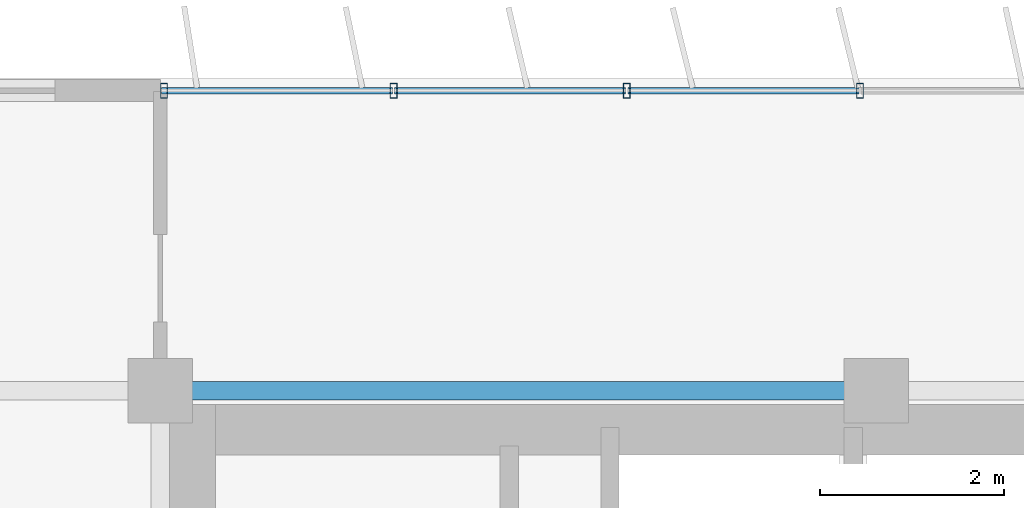
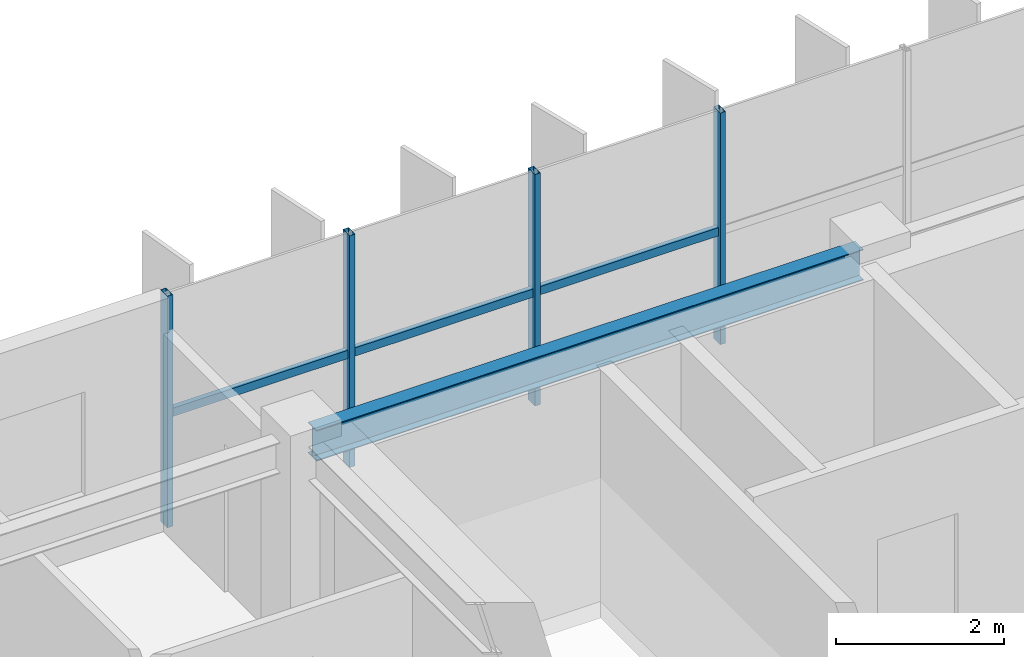
# One storey, part 16 of 34: 7 members, 1 beam, 1 element without a shape of its own.
"""IFC4 building model written with IfcOpenShell, lengths in metres."""

import ifcopenshell
import ifcopenshell.guid

model = None  # the IFC model being written
_history = None  # IfcOwnerHistory: only IFC2X3 demands one
_inside = {}  # id of a spatial element -> (the spatial element, [elements in it])
_under = {}  # id of a project, library or spatial element -> (it, [spatial elements below it])
_declared = {}  # id of a project -> (the project, [libraries it declares])
_typed = {}  # id of a type object -> (the type object, [elements of that type])
_made_of = {}  # id of a material, layer set ... -> (it, [elements and type objects made of it])


def new_model(schema):
    """Start an empty IFC model of exactly this schema.

    Asked for "IFC4X3", IfcOpenShell would pick the latest addendum, in which some entities
    have other attributes; the version numbers below select the first issue.
    IFC2X3 requires an IfcOwnerHistory on every rooted entity: one is made here for all.
    """
    global model, _history
    if schema == "IFC4X3":
        model = ifcopenshell.file(schema_version=(4, 3, 0, 0))
    else:
        model = ifcopenshell.file(schema=schema)
    _inside.clear()
    _under.clear()
    _declared.clear()
    _typed.clear()
    _made_of.clear()
    _history = None
    if model.schema == "IFC2X3":
        org = make("IfcOrganization", Name="unknown")
        user = make(
            "IfcPersonAndOrganization",
            ThePerson=make("IfcPerson", FamilyName="unknown"),
            TheOrganization=org,
        )
        app = make(
            "IfcApplication",
            ApplicationDeveloper=org,
            Version="unknown",
            ApplicationFullName="unknown",
            ApplicationIdentifier="unknown",
        )
        _history = make(
            "IfcOwnerHistory",
            OwningUser=user,
            OwningApplication=app,
            ChangeAction="ADDED",
            CreationDate=0,
        )
    return model


def make(cls, **values):
    """One entity of the class cls with the attributes given. An attribute that is None is left unset."""
    return model.create_entity(
        cls, **{name: value for name, value in values.items() if value is not None}
    )


def rooted(cls, **values):
    """An entity with a GlobalId (a new one), such as an element, a storey or a relation."""
    return make(cls, GlobalId=ifcopenshell.guid.new(), OwnerHistory=_history, **values)


def si_unit(unit_type, name, prefix=None):
    """IfcSIUnit, for example si_unit("LENGTHUNIT", "METRE", prefix="MILLI")."""
    return make("IfcSIUnit", UnitType=unit_type, Prefix=prefix, Name=name)


def assignment(units):
    """IfcUnitAssignment: the units of a project."""
    return None if units is None else make("IfcUnitAssignment", Units=units)


def point(xyz):
    """IfcCartesianPoint."""
    return None if xyz is None else make("IfcCartesianPoint", Coordinates=xyz)


def direction(xyz):
    """IfcDirection."""
    return None if xyz is None else make("IfcDirection", DirectionRatios=xyz)


def frame(location, z_axis=None, x_axis=None):
    """IfcAxis2Placement3D, a coordinate frame: its origin and axes. An axis left out is left unset."""
    return make(
        "IfcAxis2Placement3D",
        Location=point(location),
        Axis=direction(z_axis),
        RefDirection=direction(x_axis),
    )


def frame_2d(location, x_axis=None):
    """IfcAxis2Placement2D, a coordinate frame in the plane: its origin and x axis."""
    return make(
        "IfcAxis2Placement2D", Location=point(location), RefDirection=direction(x_axis)
    )


def origin():
    """The frame at (0, 0, 0) with its axes left unset."""
    return frame((0.0, 0.0, 0.0))


def origin_2d():
    """The frame at (0, 0) in the plane with its x axis left unset."""
    return frame_2d((0.0, 0.0))


def place(relative_to, where):
    """IfcLocalPlacement: puts the frame where relative to a parent placement (None: the world)."""
    return make(
        "IfcLocalPlacement", PlacementRelTo=relative_to, RelativePlacement=where
    )


def context(
    kind, dimensions, precision=None, world=None, true_north=None, identifier=None
):
    """IfcGeometricRepresentationContext, for example the 3D "Model" context."""
    return make(
        "IfcGeometricRepresentationContext",
        ContextIdentifier=identifier,
        ContextType=kind,
        CoordinateSpaceDimension=dimensions,
        Precision=precision,
        WorldCoordinateSystem=world,
        TrueNorth=true_north,
    )


def subcontext(parent, identifier, kind, view, scale=None):
    """IfcGeometricRepresentationSubContext, for example "Body" below "Model"."""
    return make(
        "IfcGeometricRepresentationSubContext",
        ContextIdentifier=identifier,
        ContextType=kind,
        ParentContext=parent,
        TargetScale=scale,
        TargetView=view,
    )


def project(units=None, contexts=None):
    """IfcProject with its units and contexts."""
    return rooted(
        "IfcProject",
        Name="project",
        RepresentationContexts=contexts,
        UnitsInContext=assignment(units),
    )


def spatial(cls, under=None, at=None, **own):
    """A site, building, storey or space (cls), placed at a placement, below another one or the project."""
    s = rooted(cls, ObjectPlacement=at, **own)
    if under is not None:
        _under.setdefault(under.id(), (under, []))[1].append(s)
    return s


def profile(cls, at=None, kind="AREA", **sizes):
    """A parametric profile (cls). Its sizes go by their IFC names, for example OverallWidth=200.0."""
    return make(cls, ProfileType=kind, Position=at, **sizes)


def hollow_rectangle(**sizes):
    """IfcRectangleHollowProfileDef."""
    return profile("IfcRectangleHollowProfileDef", **sizes)


def i_section(**sizes):
    """IfcIShapeProfileDef."""
    return profile("IfcIShapeProfileDef", **sizes)


def extrude(swept, where, along, depth):
    """IfcExtrudedAreaSolid: the profile swept, set in the frame where, extruded along a direction by depth."""
    return make(
        "IfcExtrudedAreaSolid",
        SweptArea=swept,
        Position=where,
        ExtrudedDirection=direction(along),
        Depth=depth,
    )


def shape(context_of_items, identifier, shape_type, items):
    """IfcShapeRepresentation: the items that make up one representation, for example the "Body"."""
    return make(
        "IfcShapeRepresentation",
        ContextOfItems=context_of_items,
        RepresentationIdentifier=identifier,
        RepresentationType=shape_type,
        Items=items,
    )


def source(mapping_origin, context_of_items, identifier, shape_type, items):
    """IfcRepresentationMap: a shape defined once, which mapped items show again and again."""
    return make(
        "IfcRepresentationMap",
        MappingOrigin=mapping_origin,
        MappedRepresentation=shape(context_of_items, identifier, shape_type, items),
    )


def transform(
    local_origin,
    x_axis=None,
    y_axis=None,
    z_axis=None,
    scale=None,
    scale2=None,
    scale3=None,
    uniform=True,
):
    """IfcCartesianTransformationOperator3D, or its non-uniform kind. x_axis, y_axis, z_axis: its Axis1, 2, 3."""
    if uniform:
        return make(
            "IfcCartesianTransformationOperator3D",
            Axis1=direction(x_axis),
            Axis2=direction(y_axis),
            LocalOrigin=point(local_origin),
            Scale=scale,
            Axis3=direction(z_axis),
        )
    return make(
        "IfcCartesianTransformationOperator3DnonUniform",
        Axis1=direction(x_axis),
        Axis2=direction(y_axis),
        LocalOrigin=point(local_origin),
        Scale=scale,
        Axis3=direction(z_axis),
        Scale2=scale2,
        Scale3=scale3,
    )


def mapped(mapping_source, mapping_target):
    """IfcMappedItem: shows the shape of a source again, moved by a transform."""
    return make(
        "IfcMappedItem", MappingSource=mapping_source, MappingTarget=mapping_target
    )


def material(Name=None, Category=None):
    """IfcMaterial."""
    return make("IfcMaterial", Name=Name, Category=Category)


def material_profile(
    of_material, cross_section, Name=None, Category=None, Priority=None
):
    """IfcMaterialProfile: a cross section and its material."""
    return make(
        "IfcMaterialProfile",
        Name=Name,
        Material=of_material,
        Profile=cross_section,
        Priority=Priority,
        Category=Category,
    )


def profile_set(profiles, Name=None, composite=None):
    """IfcMaterialProfileSet."""
    return make(
        "IfcMaterialProfileSet",
        Name=Name,
        MaterialProfiles=profiles,
        CompositeProfile=composite,
    )


def made_of(thing, what):
    """Note that an element or type object is made of a material, layer set ...; save() writes the relation."""
    if what is not None:
        _made_of.setdefault(what.id(), (what, []))[1].append(thing)
    return thing


def type_object(cls, material=None, **own):
    """A type object (cls), such as IfcWallType, which elements share."""
    return made_of(rooted(cls, **own), material)


def element(
    cls,
    number,
    at=None,
    inside=None,
    cuts=None,
    type_object=None,
    material=None,
    context=None,
    identifier="Body",
    shape_type=None,
    held_by="IfcProductDefinitionShape",
    body=None,
    shapes=None,
    **own,
):
    """One element of the class cls, such as IfcWall. Its Tag is "e" and its number.

    at: its placement. inside: the storey or other place that contains it. cuts: it is an
    opening in that element (IfcRelVoidsElement). A single representation is given by context,
    identifier, shape_type and body (its items); several are given by shapes. held_by: the class
    of the entity that holds the representations. save() writes the other relations.
    """
    e = rooted(cls, Tag="e%d" % number, ObjectPlacement=at, **own)
    if body is not None:
        shapes = [shape(context, identifier, shape_type, body)]
    if shapes is not None:
        e.Representation = make(held_by, Representations=shapes)
    if inside is not None:
        _inside.setdefault(inside.id(), (inside, []))[1].append(e)
    if cuts is not None:
        rooted(
            "IfcRelVoidsElement", RelatingBuildingElement=cuts, RelatedOpeningElement=e
        )
    if type_object is not None:
        _typed.setdefault(type_object.id(), (type_object, []))[1].append(e)
    return made_of(e, material)


def aggregate(whole, parts):
    """IfcRelAggregates: a whole, such as a stair, and the parts it consists of."""
    return rooted("IfcRelAggregates", RelatingObject=whole, RelatedObjects=parts)


def save(model, path):
    """Write the relations noted so far, then the file.

    IfcRelAggregates (storeys below a building ...), IfcRelContainedInSpatialStructure (elements
    in a storey), IfcRelDefinesByType, IfcRelAssociatesMaterial and IfcRelDeclares: one each for
    every whole, place, type object, material and project.
    """
    for whole, parts in _under.values():
        aggregate(whole, parts)
    for where, things in _inside.values():
        rooted(
            "IfcRelContainedInSpatialStructure",
            RelatedElements=things,
            RelatingStructure=where,
        )
    for kind, things in _typed.values():
        rooted("IfcRelDefinesByType", RelatedObjects=things, RelatingType=kind)
    for what, things in _made_of.values():
        rooted("IfcRelAssociatesMaterial", RelatedObjects=things, RelatingMaterial=what)
    for by, libraries in _declared.values():
        rooted("IfcRelDeclares", RelatingContext=by, RelatedDefinitions=libraries)
    model.write(path)


model = new_model("IFC4")

# Units and contexts
model_context = context("Model", 3, precision=1e-05, world=origin(), true_north=direction((0.0, 1.0)))
body_context = subcontext(model_context, "Body", "Model", "MODEL_VIEW")
ifc_project = project(units=[si_unit("LENGTHUNIT", "METRE"), si_unit("AREAUNIT", "SQUARE_METRE"), si_unit("VOLUMEUNIT", "CUBIC_METRE"), si_unit("PLANEANGLEUNIT", "RADIAN"), si_unit("MASSUNIT", "GRAM", prefix="KILO")], contexts=[model_context])

# Site, building, storey
site_placement = place(None, origin())
site = spatial("IfcSite", under=ifc_project, at=site_placement, CompositionType="ELEMENT")
building_placement = place(site_placement, origin())
building = spatial("IfcBuilding", under=site, at=building_placement, Name="Trelvane Seafront Commons", CompositionType="ELEMENT")
storey_placement = place(building_placement, frame((0.0, 0.0, 197.699951171875)))
storey = spatial("IfcBuildingStorey", under=building, at=storey_placement, Name="L51", CompositionType="ELEMENT", Elevation=197.699951171875)

# Beam
ifc_material_1 = material(Name="Steel SM355 (S355)", Category="steel")
ifc_material_profile_1 = material_profile(ifc_material_1, i_section(OverallWidth=0.199951171875, OverallDepth=0.449951171875, WebThickness=0.009033203125, FlangeThickness=0.013916015625, at=origin_2d()), Name="H-450x200x9x14")
ifc_profile_set_1 = profile_set([ifc_material_profile_1], Name="Steel SM355 (S355)")
beam_type = type_object("IfcBeamType", Name="STR-SPD-H450", PredefinedType="SPANDREL", material=ifc_profile_set_1)
shared_shape_1 = source(origin(), body_context, "Body", "SweptSolid", [
    extrude(i_section(OverallWidth=0.199951171875, OverallDepth=0.449951171875, WebThickness=0.009033203125, FlangeThickness=0.013916015625, at=origin_2d()), origin(), (0.0, 0.0, 1.0), 7.5),
])
beam_placement = place(storey_placement, frame((15.75, 45.10009765625, 3.135009765625), z_axis=(1.0, 0.0, 0.0), x_axis=(0.0, 1.0, 0.0)))
element("IfcBeam", 1, at=beam_placement, inside=storey, type_object=beam_type, Name="L51 Primary Girder G-23", PredefinedType="SPANDREL", context=body_context, shape_type="MappedRepresentation", body=[
    mapped(shared_shape_1, transform((0.0, 0.0, 0.0), x_axis=(1.0, 0.0, 0.0), y_axis=(0.0, 1.0, 0.0), z_axis=(0.0, 0.0, 1.0), scale=1.0)),
])

# Curtain wall, members
ifc_material_2 = material(Name="Anodised pale-silver aluminium", Category="aluminium")
curtain_wall_type = type_object("IfcCurtainWallType", Name="ARCH-CW5-UPTOWER", PredefinedType="NOTDEFINED", material=ifc_material_2)
curtain_wall_placement = place(storey_placement, origin())
curtain_wall = element("IfcCurtainWall", 2, at=curtain_wall_placement, inside=storey, type_object=curtain_wall_type, Name="CW-L51-0084", PredefinedType="NOTDEFINED")
ifc_material_profile_2 = material_profile(ifc_material_2, hollow_rectangle(XDim=0.070068359375, YDim=0.1201171875, WallThickness=0.00390625, at=origin_2d()), Name="TRAN-70x120x4")
ifc_profile_set_2 = profile_set([ifc_material_profile_2], Name="Anodised pale-silver aluminium")
member_type_1 = type_object("IfcMemberType", Name="ARCH-CW-TRAN-120", PredefinedType="USERDEFINED", material=ifc_profile_set_2)
shared_shape_2 = source(origin(), body_context, "Body", "SweptSolid", [
    extrude(hollow_rectangle(XDim=0.070068359375, YDim=0.1201171875, WallThickness=0.00390625, at=origin_2d()), origin(), (0.0, 0.0, 1.0), 2.51708984375),
])
member_1_placement = place(storey_placement, frame((15.612060546875, 48.3701171875, 1.613037109375), z_axis=(1.0, 0.0, 0.0), x_axis=(0.0, 1.0, 0.0)))
member_1 = element("IfcMember", 3, at=member_1_placement, type_object=member_type_1, Name="CW-L51-0084-T00", ObjectType="TRANSOM", PredefinedType="USERDEFINED", context=body_context, shape_type="MappedRepresentation", body=[
    mapped(shared_shape_2, transform((0.0, 0.0, 0.0), x_axis=(1.0, 0.0, 0.0), y_axis=(0.0, 1.0, 0.0), z_axis=(0.0, 0.0, 1.0), scale=1.0)),
])
member_2_placement = place(storey_placement, frame((18.1533203125, 48.3701171875, 1.613037109375), z_axis=(1.0, 0.0, 0.0), x_axis=(0.0, 1.0, 0.0)))
member_2 = element("IfcMember", 4, at=member_2_placement, type_object=member_type_1, Name="CW-L51-0084-T01", ObjectType="TRANSOM", PredefinedType="USERDEFINED", context=body_context, shape_type="MappedRepresentation", body=[
    mapped(shared_shape_2, transform((0.0, 0.0, 0.0), x_axis=(1.0, 0.0, 0.0), y_axis=(0.0, 1.0, 0.0), z_axis=(0.0, 0.0, 1.0), scale=1.0)),
])
member_3_placement = place(storey_placement, frame((20.6943359375, 48.3701171875, 1.613037109375), z_axis=(1.0, 0.0, 0.0), x_axis=(0.0, 1.0, 0.0)))
member_3 = element("IfcMember", 5, at=member_3_placement, type_object=member_type_1, Name="CW-L51-0084-T02", ObjectType="TRANSOM", PredefinedType="USERDEFINED", context=body_context, shape_type="MappedRepresentation", body=[
    mapped(shared_shape_2, transform((0.0, 0.0, 0.0), x_axis=(1.0, 0.0, 0.0), y_axis=(0.0, 1.0, 0.0), z_axis=(0.0, 0.0, 1.0), scale=1.0)),
])
ifc_material_profile_3 = material_profile(ifc_material_2, hollow_rectangle(XDim=0.074951171875, YDim=0.159912109375, WallThickness=0.00390625, at=origin_2d()), Name="MULL-75x160x4")
ifc_profile_set_3 = profile_set([ifc_material_profile_3], Name="Anodised pale-silver aluminium")
member_type_2 = type_object("IfcMemberType", Name="ARCH-CW-MULL-160", PredefinedType="MULLION", material=ifc_profile_set_3)
shared_shape_3 = source(origin(), body_context, "Body", "SweptSolid", [
    extrude(hollow_rectangle(XDim=0.074951171875, YDim=0.159912109375, WallThickness=0.00390625, at=origin_2d()), origin(), (0.0, 0.0, 1.0), 3.360107421875),
])
member_4_placement = place(storey_placement, frame((15.639892578125, 48.3701171875, 0.0), z_axis=(0.0, 0.0, 1.0), x_axis=(1.0, 0.0, 0.0)))
member_4 = element("IfcMember", 6, at=member_4_placement, type_object=member_type_2, Name="CW-L51-0084-M00", PredefinedType="MULLION", context=body_context, shape_type="MappedRepresentation", body=[
    mapped(shared_shape_3, transform((0.0, 0.0, 0.0), x_axis=(1.0, 0.0, 0.0), y_axis=(0.0, 1.0, 0.0), z_axis=(0.0, 0.0, 1.0), scale=1.0)),
])
member_5_placement = place(storey_placement, frame((18.14111328125, 48.3701171875, 0.0), z_axis=(0.0, 0.0, 1.0), x_axis=(1.0, 0.0, 0.0)))
member_5 = element("IfcMember", 7, at=member_5_placement, type_object=member_type_2, Name="CW-L51-0084-M01", PredefinedType="MULLION", context=body_context, shape_type="MappedRepresentation", body=[
    mapped(shared_shape_3, transform((0.0, 0.0, 0.0), x_axis=(1.0, 0.0, 0.0), y_axis=(0.0, 1.0, 0.0), z_axis=(0.0, 0.0, 1.0), scale=1.0)),
])
member_6_placement = place(storey_placement, frame((20.682373046875, 48.3701171875, 0.0), z_axis=(0.0, 0.0, 1.0), x_axis=(1.0, 0.0, 0.0)))
member_6 = element("IfcMember", 8, at=member_6_placement, type_object=member_type_2, Name="CW-L51-0084-M02", PredefinedType="MULLION", context=body_context, shape_type="MappedRepresentation", body=[
    mapped(shared_shape_3, transform((0.0, 0.0, 0.0), x_axis=(1.0, 0.0, 0.0), y_axis=(0.0, 1.0, 0.0), z_axis=(0.0, 0.0, 1.0), scale=1.0)),
])
member_7_placement = place(storey_placement, frame((23.223388671875, 48.3701171875, 0.0), z_axis=(0.0, 0.0, 1.0), x_axis=(1.0, 0.0, 0.0)))
member_7 = element("IfcMember", 9, at=member_7_placement, type_object=member_type_2, Name="CW-L51-0084-M03", PredefinedType="MULLION", context=body_context, shape_type="MappedRepresentation", body=[
    mapped(shared_shape_3, transform((0.0, 0.0, 0.0), x_axis=(1.0, 0.0, 0.0), y_axis=(0.0, 1.0, 0.0), z_axis=(0.0, 0.0, 1.0), scale=1.0)),
])
aggregate(curtain_wall, [member_4, member_5, member_6, member_7, member_1, member_2, member_3])

save(model, "model.ifc")
